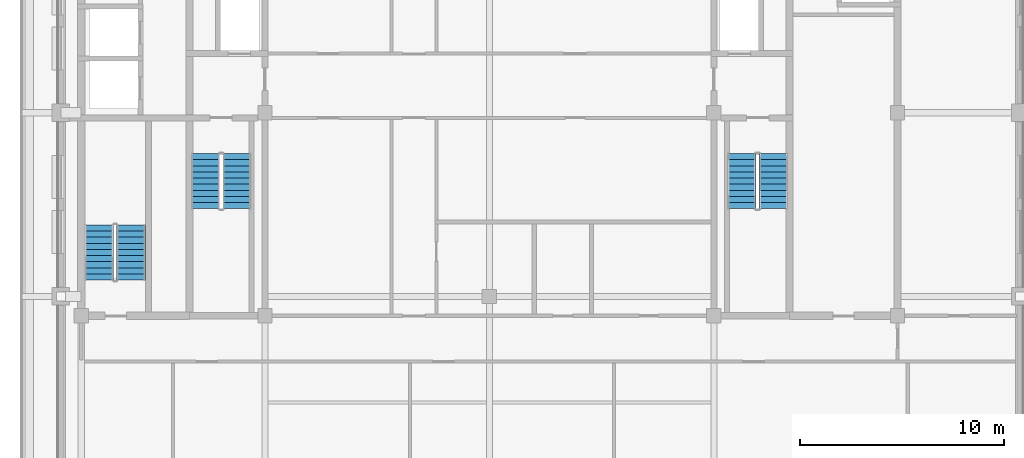
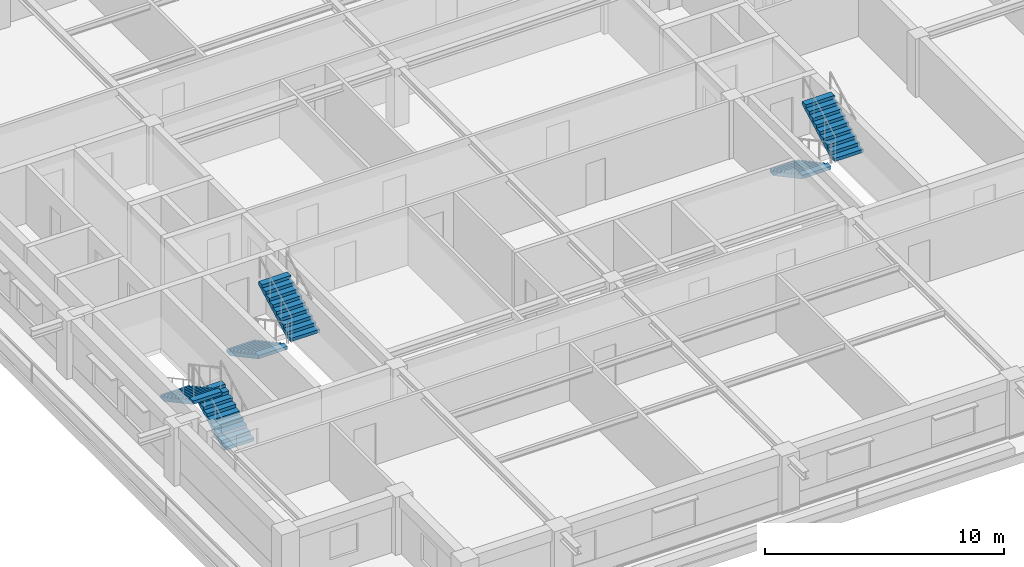
# One storey, part 6 of 11: 6 stair flights, 3 elements without a shape of their own.
"""IFC4 building model written with IfcOpenShell, lengths in metres."""

from ifc_helpers import new_model, si_unit, direction, frame, origin, place, context, subcontext, project, spatial, polyline, outline, extrude, material, layer, layer_set, type_object, element, aggregate, save


model = new_model("IFC4")

# Units and contexts
model_context = context("Model", 3, precision=1e-05, world=origin(), true_north=direction((0.0, 1.0)))
body_context = subcontext(model_context, "Body", "Model", "MODEL_VIEW")
ifc_project = project(units=[si_unit("LENGTHUNIT", "METRE"), si_unit("AREAUNIT", "SQUARE_METRE"), si_unit("VOLUMEUNIT", "CUBIC_METRE"), si_unit("PLANEANGLEUNIT", "RADIAN"), si_unit("MASSUNIT", "GRAM", prefix="KILO")], contexts=[model_context])

# Site, building, storey
site_placement = place(None, origin())
site = spatial("IfcSite", under=ifc_project, at=site_placement, CompositionType="ELEMENT")
building_placement = place(site_placement, origin())
building = spatial("IfcBuilding", under=site, at=building_placement, Name="Zulmaris Gate Convention Tower", CompositionType="ELEMENT")
storey_placement = place(building_placement, frame((0.0, 0.0, 236.510009765625)))
storey = spatial("IfcBuildingStorey", under=building, at=storey_placement, Name="L62", CompositionType="ELEMENT", Elevation=236.510009765625)

# Stair, stair flights
ifc_material = material(Name="Concrete C45/55", Category="concrete")
stair_type = type_object("IfcStairType", Name="ST-CORE-DOGLEG", PredefinedType="HALF_TURN_STAIR", material=ifc_material)
stair_1_placement = place(storey_placement, origin())
stair_1 = element("IfcStair", 1, at=stair_1_placement, inside=storey, type_object=stair_type, Name="L62 Core Exit Stair ST-1", PredefinedType="HALF_TURN_STAIR")
ifc_layer = layer(ifc_material, 0.14990234375, Name="Concrete C45/55")
ifc_layer_set = layer_set([ifc_layer], Name="Concrete C45/55")
stair_flight_type = type_object("IfcStairFlightType", Name="STF-RC150", PredefinedType="STRAIGHT", material=ifc_layer_set)
stair_flight_1_placement = place(storey_placement, frame((-13.919921875, -2.0, 0.0), z_axis=(0.0, 0.0, 1.0), x_axis=(0.0, -1.0, 0.0)))
stair_flight_1 = element("IfcStairFlight", 2, at=stair_flight_1_placement, type_object=stair_flight_type, Name="ST-1 flight 1", NumberOfRisers=10, NumberOfTreads=9, PredefinedType="STRAIGHT", RiserHeight=0.1615, TreadLength=0.3, context=body_context, shape_type="SweptSolid", body=[
    extrude(outline(polyline([(0.0, 0.0), (0.0, 0.16162109375), (0.300048828125, 0.16162109375), (0.300048828125, 0.322998046875), (0.60009765625, 0.322998046875), (0.60009765625, 0.484619140625), (0.89990234375, 0.484619140625), (0.89990234375, 0.64599609375), (1.199951171875, 0.64599609375), (1.199951171875, 0.8076171875), (1.5, 0.8076171875), (1.5, 0.968994140625), (1.800048828125, 0.968994140625), (1.800048828125, 1.130615234375), (2.10009765625, 1.130615234375), (2.10009765625, 1.2919921875), (2.39990234375, 1.2919921875), (2.39990234375, 1.45361328125), (2.699951171875, 1.45361328125), (2.699951171875, 1.614990234375), (2.699951171875, 1.283203125), (0.316162109375, 0.0), (0.0, 0.0)])), frame((0.0, 0.699951171875, 0.0), z_axis=(0.0, -1.0, 0.0), x_axis=(1.0, 0.0, 0.0)), (0.0, 0.0, 1.0), 1.39990234375),
])
stair_flight_2_placement = place(storey_placement, frame((-12.360107421875, -4.699951171875, 1.614990234375), z_axis=(0.0, 0.0, 1.0), x_axis=(0.0, 1.0, 0.0)))
stair_flight_2 = element("IfcStairFlight", 3, at=stair_flight_2_placement, type_object=stair_flight_type, Name="ST-1 flight 2", NumberOfRisers=10, NumberOfTreads=9, PredefinedType="STRAIGHT", RiserHeight=0.1615, TreadLength=0.3, context=body_context, shape_type="SweptSolid", body=[
    extrude(outline(polyline([(0.0, 0.0), (0.0, 0.16162109375), (0.300048828125, 0.16162109375), (0.300048828125, 0.322998046875), (0.60009765625, 0.322998046875), (0.60009765625, 0.484619140625), (0.89990234375, 0.484619140625), (0.89990234375, 0.64599609375), (1.199951171875, 0.64599609375), (1.199951171875, 0.8076171875), (1.5, 0.8076171875), (1.5, 0.968994140625), (1.800048828125, 0.968994140625), (1.800048828125, 1.130615234375), (2.10009765625, 1.130615234375), (2.10009765625, 1.2919921875), (2.39990234375, 1.2919921875), (2.39990234375, 1.45361328125), (2.699951171875, 1.45361328125), (2.699951171875, 1.614990234375), (2.699951171875, 1.283203125), (0.316162109375, 0.0), (0.0, 0.0)])), frame((0.0, 0.699951171875, 0.0), z_axis=(0.0, -1.0, 0.0), x_axis=(1.0, 0.0, 0.0)), (0.0, 0.0, 1.0), 1.39990234375),
])
aggregate(stair_1, [stair_flight_1, stair_flight_2])

stair_2_placement = place(storey_placement, origin())
stair_2 = element("IfcStair", 4, at=stair_2_placement, inside=storey, type_object=stair_type, Name="L62 Core Exit Stair ST-2", PredefinedType="HALF_TURN_STAIR")
stair_flight_3_placement = place(storey_placement, frame((12.360107421875, -2.0, 0.0), z_axis=(0.0, 0.0, 1.0), x_axis=(0.0, -1.0, 0.0)))
stair_flight_3 = element("IfcStairFlight", 5, at=stair_flight_3_placement, type_object=stair_flight_type, Name="ST-2 flight 1", NumberOfRisers=10, NumberOfTreads=9, PredefinedType="STRAIGHT", RiserHeight=0.1615, TreadLength=0.3, context=body_context, shape_type="SweptSolid", body=[
    extrude(outline(polyline([(0.0, 0.0), (0.0, 0.16162109375), (0.300048828125, 0.16162109375), (0.300048828125, 0.322998046875), (0.60009765625, 0.322998046875), (0.60009765625, 0.484619140625), (0.89990234375, 0.484619140625), (0.89990234375, 0.64599609375), (1.199951171875, 0.64599609375), (1.199951171875, 0.8076171875), (1.5, 0.8076171875), (1.5, 0.968994140625), (1.800048828125, 0.968994140625), (1.800048828125, 1.130615234375), (2.10009765625, 1.130615234375), (2.10009765625, 1.2919921875), (2.39990234375, 1.2919921875), (2.39990234375, 1.45361328125), (2.699951171875, 1.45361328125), (2.699951171875, 1.614990234375), (2.699951171875, 1.283203125), (0.316162109375, 0.0), (0.0, 0.0)])), frame((0.0, 0.699951171875, 0.0), z_axis=(0.0, -1.0, 0.0), x_axis=(1.0, 0.0, 0.0)), (0.0, 0.0, 1.0), 1.39990234375),
])
stair_flight_4_placement = place(storey_placement, frame((13.919921875, -4.699951171875, 1.614990234375), z_axis=(0.0, 0.0, 1.0), x_axis=(0.0, 1.0, 0.0)))
stair_flight_4 = element("IfcStairFlight", 6, at=stair_flight_4_placement, type_object=stair_flight_type, Name="ST-2 flight 2", NumberOfRisers=10, NumberOfTreads=9, PredefinedType="STRAIGHT", RiserHeight=0.1615, TreadLength=0.3, context=body_context, shape_type="SweptSolid", body=[
    extrude(outline(polyline([(0.0, 0.0), (0.0, 0.16162109375), (0.300048828125, 0.16162109375), (0.300048828125, 0.322998046875), (0.60009765625, 0.322998046875), (0.60009765625, 0.484619140625), (0.89990234375, 0.484619140625), (0.89990234375, 0.64599609375), (1.199951171875, 0.64599609375), (1.199951171875, 0.8076171875), (1.5, 0.8076171875), (1.5, 0.968994140625), (1.800048828125, 0.968994140625), (1.800048828125, 1.130615234375), (2.10009765625, 1.130615234375), (2.10009765625, 1.2919921875), (2.39990234375, 1.2919921875), (2.39990234375, 1.45361328125), (2.699951171875, 1.45361328125), (2.699951171875, 1.614990234375), (2.699951171875, 1.283203125), (0.316162109375, 0.0), (0.0, 0.0)])), frame((0.0, 0.699951171875, 0.0), z_axis=(0.0, -1.0, 0.0), x_axis=(1.0, 0.0, 0.0)), (0.0, 0.0, 1.0), 1.39990234375),
])
aggregate(stair_2, [stair_flight_3, stair_flight_4])

stair_3_placement = place(storey_placement, origin())
stair_3 = element("IfcStair", 7, at=stair_3_placement, inside=storey, type_object=stair_type, Name="L62 Core Exit Stair ST-3", PredefinedType="HALF_TURN_STAIR")
stair_flight_5_placement = place(storey_placement, frame((-17.56005859375, -8.199951171875, 0.0), z_axis=(0.0, 0.0, 1.0), x_axis=(0.0, 1.0, 0.0)))
stair_flight_5 = element("IfcStairFlight", 8, at=stair_flight_5_placement, type_object=stair_flight_type, Name="ST-3 flight 1", NumberOfRisers=10, NumberOfTreads=9, PredefinedType="STRAIGHT", RiserHeight=0.1615, TreadLength=0.3, context=body_context, shape_type="SweptSolid", body=[
    extrude(outline(polyline([(0.0, 0.0), (0.0, 0.16162109375), (0.300048828125, 0.16162109375), (0.300048828125, 0.322998046875), (0.60009765625, 0.322998046875), (0.60009765625, 0.484619140625), (0.89990234375, 0.484619140625), (0.89990234375, 0.64599609375), (1.199951171875, 0.64599609375), (1.199951171875, 0.8076171875), (1.5, 0.8076171875), (1.5, 0.968994140625), (1.800048828125, 0.968994140625), (1.800048828125, 1.130615234375), (2.10009765625, 1.130615234375), (2.10009765625, 1.2919921875), (2.39990234375, 1.2919921875), (2.39990234375, 1.45361328125), (2.699951171875, 1.45361328125), (2.699951171875, 1.614990234375), (2.699951171875, 1.283203125), (0.316162109375, 0.0), (0.0, 0.0)])), frame((0.0, 0.699951171875, 0.0), z_axis=(0.0, -1.0, 0.0), x_axis=(1.0, 0.0, 0.0)), (0.0, 0.0, 1.0), 1.39990234375),
])
stair_flight_6_placement = place(storey_placement, frame((-19.1201171875, -5.5, 1.614990234375), z_axis=(0.0, 0.0, 1.0), x_axis=(0.0, -1.0, 0.0)))
stair_flight_6 = element("IfcStairFlight", 9, at=stair_flight_6_placement, type_object=stair_flight_type, Name="ST-3 flight 2", NumberOfRisers=10, NumberOfTreads=9, PredefinedType="STRAIGHT", RiserHeight=0.1615, TreadLength=0.3, context=body_context, shape_type="SweptSolid", body=[
    extrude(outline(polyline([(0.0, 0.0), (0.0, 0.16162109375), (0.300048828125, 0.16162109375), (0.300048828125, 0.322998046875), (0.60009765625, 0.322998046875), (0.60009765625, 0.484619140625), (0.89990234375, 0.484619140625), (0.89990234375, 0.64599609375), (1.199951171875, 0.64599609375), (1.199951171875, 0.8076171875), (1.5, 0.8076171875), (1.5, 0.968994140625), (1.800048828125, 0.968994140625), (1.800048828125, 1.130615234375), (2.10009765625, 1.130615234375), (2.10009765625, 1.2919921875), (2.39990234375, 1.2919921875), (2.39990234375, 1.45361328125), (2.699951171875, 1.45361328125), (2.699951171875, 1.614990234375), (2.699951171875, 1.283203125), (0.316162109375, 0.0), (0.0, 0.0)])), frame((0.0, 0.699951171875, 0.0), z_axis=(0.0, -1.0, 0.0), x_axis=(1.0, 0.0, 0.0)), (0.0, 0.0, 1.0), 1.39990234375),
])
aggregate(stair_3, [stair_flight_5, stair_flight_6])

save(model, "model.ifc")
